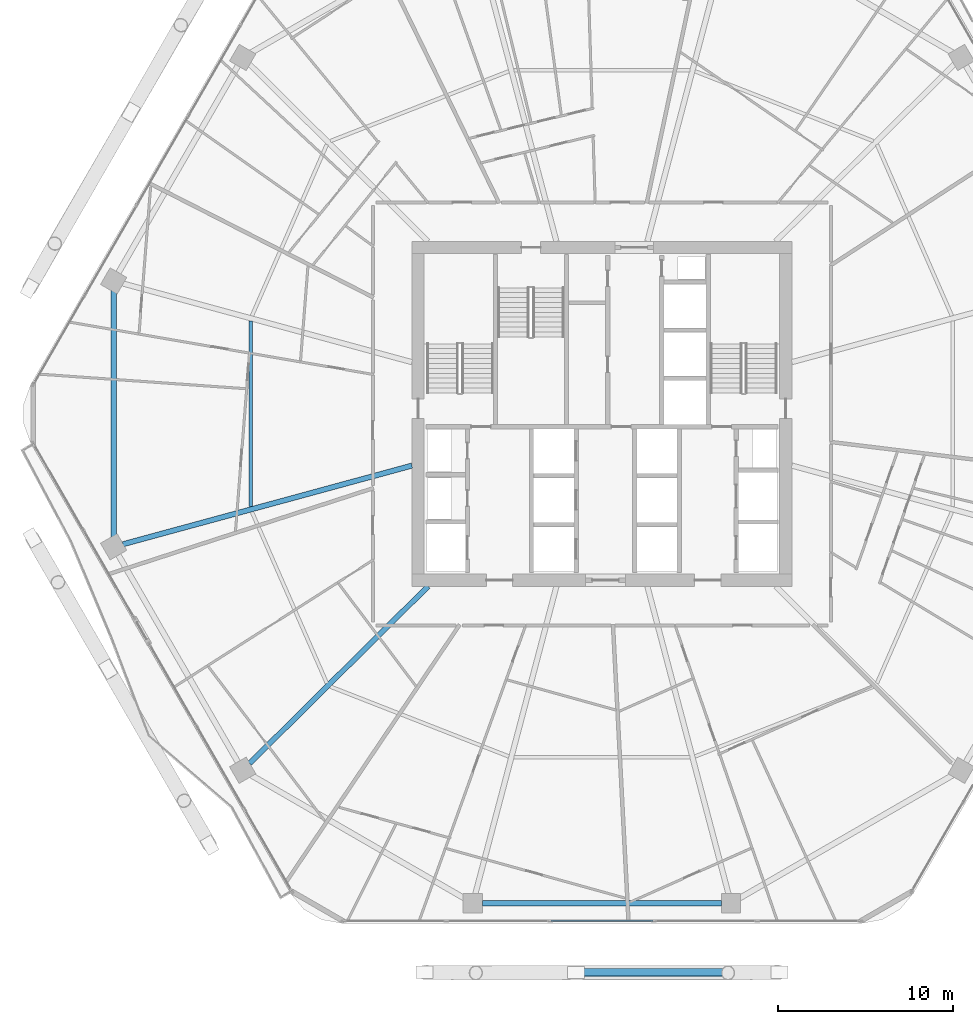
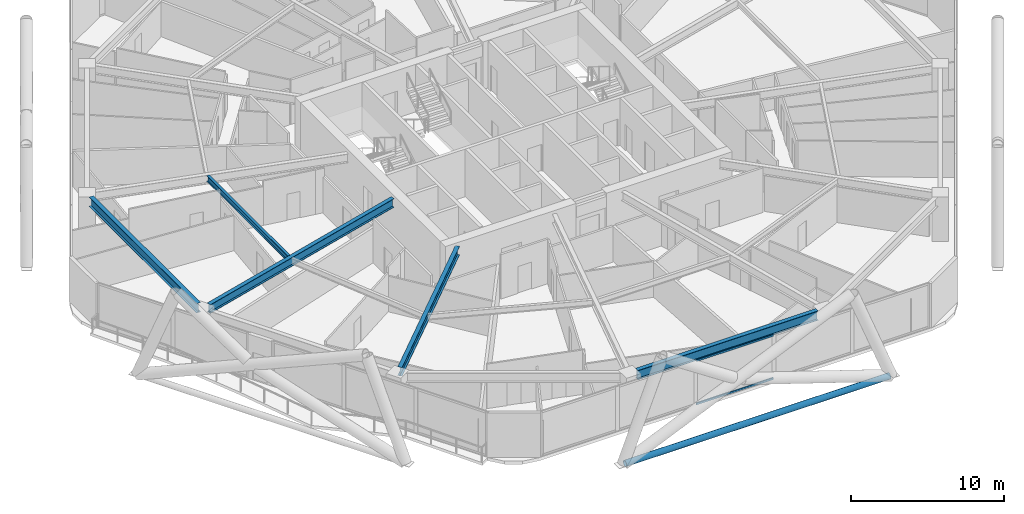
# One storey, part 6 of 35: 5 beams, 3 members, 1 element without a shape of its own.
"""IFC4 building model written with IfcOpenShell, lengths in metres."""

from ifc_helpers import new_model, si_unit, direction, frame, origin, origin_2d, place, context, subcontext, project, spatial, hollow_rectangle, hollow_circle, i_section, extrude, material, material_profile, profile_set, type_object, element, aggregate, save


model = new_model("IFC4")

# Units and contexts
model_context = context("Model", 3, precision=1e-05, world=origin(), true_north=direction((0.0, 1.0)))
body_context = subcontext(model_context, "Body", "Model", "MODEL_VIEW")
ifc_project = project(units=[si_unit("LENGTHUNIT", "METRE"), si_unit("AREAUNIT", "SQUARE_METRE"), si_unit("VOLUMEUNIT", "CUBIC_METRE"), si_unit("PLANEANGLEUNIT", "RADIAN"), si_unit("MASSUNIT", "GRAM", prefix="KILO")], contexts=[model_context])

# Site, building, storey
site_placement = place(None, origin())
site = spatial("IfcSite", under=ifc_project, at=site_placement, CompositionType="ELEMENT")
building_placement = place(site_placement, origin())
building = spatial("IfcBuilding", under=site, at=building_placement, Name="Zuhravey Tower", CompositionType="ELEMENT")
storey_placement = place(building_placement, frame((0.0, 0.0, 122.800048828125)))
storey = spatial("IfcBuildingStorey", under=building, at=storey_placement, Name="L30", CompositionType="ELEMENT", Elevation=122.800048828125)

# Curtain wall, members
ifc_material_1 = material(Name="Thermally broken anodised aluminium", Category="aluminium")
curtain_wall_type = type_object("IfcCurtainWallType", Name="Zone 1-2 Residential Curtain Wall CW3", PredefinedType="NOTDEFINED", material=ifc_material_1)
curtain_wall_placement = place(storey_placement, origin())
curtain_wall = element("IfcCurtainWall", 1, at=curtain_wall_placement, inside=storey, type_object=curtain_wall_type, Name="L30 CW3 CW-L30-F5-1", PredefinedType="NOTDEFINED")
ifc_material_2 = material(Name="Anodised aluminium", Category="aluminium")
ifc_material_profile_1 = material_profile(ifc_material_2, hollow_rectangle(XDim=0.090087890625, YDim=0.14990234375, WallThickness=0.0048828125, at=origin_2d()), Name="ALU-RHS-90x150x5")
ifc_profile_set_1 = profile_set([ifc_material_profile_1], Name="Anodised aluminium")
member_type_1 = type_object("IfcMemberType", Name="Curtain-Wall Transom 90x150", PredefinedType="USERDEFINED", material=ifc_profile_set_1)
member_1_placement = place(storey_placement, frame((38.914794921875, 3.04150390625, 0.044921875), z_axis=(-1.0, 0.0, 0.0), x_axis=(0.0, -1.0, 0.0)))
member_1 = element("IfcMember", 2, at=member_1_placement, type_object=member_type_1, Name="CW3 transom 3.1", ObjectType="TRANSOM", PredefinedType="USERDEFINED", context=body_context, shape_type="SweptSolid", body=[
    extrude(hollow_rectangle(XDim=0.090087890625, YDim=0.14990234375, WallThickness=0.0048828125, at=origin_2d()), origin(), (0.0, 0.0, 1.0), 5.82958984375),
])
member_2_placement = place(storey_placement, frame((38.914794921875, 3.04150390625, 3.5048828125), z_axis=(-1.0, 0.0, 0.0), x_axis=(0.0, -1.0, 0.0)))
member_2 = element("IfcMember", 3, at=member_2_placement, type_object=member_type_1, Name="CW3 transom 3.2", ObjectType="TRANSOM", PredefinedType="USERDEFINED", context=body_context, shape_type="SweptSolid", body=[
    extrude(hollow_rectangle(XDim=0.090087890625, YDim=0.14990234375, WallThickness=0.0048828125, at=origin_2d()), origin(), (0.0, 0.0, 1.0), 5.82958984375),
])
aggregate(curtain_wall, [member_1, member_2])

# Member
ifc_material_3 = material(Name="Steel SM355", Category="steel")
ifc_material_profile_2 = material_profile(ifc_material_3, hollow_circle(Radius=0.228515625, WallThickness=0.02197265625, at=origin_2d()), Name="CHS-457.2x22")
ifc_profile_set_2 = profile_set([ifc_material_profile_2], Name="Steel SM355")
member_type_2 = type_object("IfcMemberType", Name="Exoskeleton Ring Tie CHS457x22", PredefinedType="CHORD", material=ifc_profile_set_2)
member_3_placement = place(storey_placement, frame((26.003173828125, 0.1015625, -0.464111328125), z_axis=(1.0, 0.0, 0.0), x_axis=(0.0, 1.0, 0.0)))
element("IfcMember", 4, at=member_3_placement, inside=storey, type_object=member_type_2, Name="L30 Exoskeleton Face 5 Tie EXR1", PredefinedType="CHORD", context=body_context, shape_type="SweptSolid", body=[
    extrude(hollow_circle(Radius=0.228515625, WallThickness=0.02197265625, at=origin_2d()), origin(), (0.0, 0.0, 1.0), 19.99365234375),
])

# Beams
ifc_material_profile_3 = material_profile(ifc_material_3, i_section(OverallWidth=0.320068359375, OverallDepth=0.75, WebThickness=0.013916015625, FlangeThickness=0.02490234375, at=origin_2d()), Name="H-750x320x14x25")
ifc_profile_set_3 = profile_set([ifc_material_profile_3], Name="Steel SM355")
beam_type_1 = type_object("IfcBeamType", Name="Perimeter Ring Beam H750x320", PredefinedType="BEAM", material=ifc_profile_set_3)
beam_1_placement = place(storey_placement, frame((8.11083984375, 39.03857421875, 3.175048828125), z_axis=(0.0, -1.0, 0.0), x_axis=(1.0, 0.0, 0.0)))
element("IfcBeam", 5, at=beam_1_placement, inside=storey, type_object=beam_type_1, Name="L30 PB1 BM-L30-PB-06", PredefinedType="BEAM", context=body_context, shape_type="SweptSolid", body=[
    extrude(i_section(OverallWidth=0.320068359375, OverallDepth=0.75, WebThickness=0.013916015625, FlangeThickness=0.02490234375, at=origin_2d()), origin(), (0.0, 0.0, 1.0), 14.0771484375),
])
beam_2_placement = place(storey_placement, frame((29.18310546875, 4.051513671875, 3.175048828125), z_axis=(1.0, 0.0, 0.0), x_axis=(0.0, 1.0, 0.0)))
element("IfcBeam", 6, at=beam_2_placement, inside=storey, type_object=beam_type_1, Name="L30 PB1 BM-L30-PB-09", PredefinedType="BEAM", context=body_context, shape_type="SweptSolid", body=[
    extrude(i_section(OverallWidth=0.320068359375, OverallDepth=0.75, WebThickness=0.013916015625, FlangeThickness=0.02490234375, at=origin_2d()), origin(), (0.0, 0.0, 1.0), 13.6337890625),
])
ifc_material_profile_4 = material_profile(ifc_material_3, i_section(OverallWidth=0.300048828125, OverallDepth=0.699951171875, WebThickness=0.012939453125, FlangeThickness=0.02392578125, at=origin_2d()), Name="H-700x300x13x24")
ifc_profile_set_4 = profile_set([ifc_material_profile_4], Name="Steel SM355")
beam_type_2 = type_object("IfcBeamType", Name="Radial Primary Girder H700x300", PredefinedType="BEAM", material=ifc_profile_set_4)
beam_3_placement = place(storey_placement, frame((25.14697265625, 29.045654296875, 3.199951171875), z_axis=(-0.964893166225, -0.262642680791, 0.0), x_axis=(0.262642680791, -0.964893166225, 0.0)))
element("IfcBeam", 7, at=beam_3_placement, inside=storey, type_object=beam_type_2, Name="L30 RG1 BM-L30-RAD-07", PredefinedType="BEAM", context=body_context, shape_type="SweptSolid", body=[
    extrude(i_section(OverallWidth=0.300048828125, OverallDepth=0.699951171875, WebThickness=0.012939453125, FlangeThickness=0.02392578125, at=origin_2d()), origin(), (0.0, 0.0, 1.0), 17.102783203125),
])
beam_4_placement = place(storey_placement, frame((26.068603515625, 22.14697265625, 3.199951171875), z_axis=(-0.709906230344, -0.704296204816, 0.0), x_axis=(0.704296204816, -0.709906230344, 0.0)))
element("IfcBeam", 8, at=beam_4_placement, inside=storey, type_object=beam_type_2, Name="L30 RG1 BM-L30-RAD-08", PredefinedType="BEAM", context=body_context, shape_type="SweptSolid", body=[
    extrude(i_section(OverallWidth=0.300048828125, OverallDepth=0.699951171875, WebThickness=0.012939453125, FlangeThickness=0.02392578125, at=origin_2d()), origin(), (0.0, 0.0, 1.0), 14.361083984375),
])
ifc_material_profile_5 = material_profile(ifc_material_3, i_section(OverallWidth=0.199951171875, OverallDepth=0.449951171875, WebThickness=0.009033203125, FlangeThickness=0.013916015625, at=origin_2d()), Name="H-450x200x9x14")
ifc_profile_set_5 = profile_set([ifc_material_profile_5], Name="Steel SM355")
beam_type_3 = type_object("IfcBeamType", Name="Secondary Floor Joist H450x200", PredefinedType="JOIST", material=ifc_profile_set_5)
beam_5_placement = place(storey_placement, frame((15.947509765625, 37.304443359375, 3.324951171875), z_axis=(0.0, -1.0, 0.0), x_axis=(1.0, 0.0, 0.0)))
element("IfcBeam", 9, at=beam_5_placement, inside=storey, type_object=beam_type_3, Name="L30 SJ1 BM-L30-SJ-06-1", PredefinedType="JOIST", context=body_context, shape_type="SweptSolid", body=[
    extrude(i_section(OverallWidth=0.199951171875, OverallDepth=0.449951171875, WebThickness=0.009033203125, FlangeThickness=0.013916015625, at=origin_2d()), origin(), (0.0, 0.0, 1.0), 10.60888671875),
])

save(model, "model.ifc")
